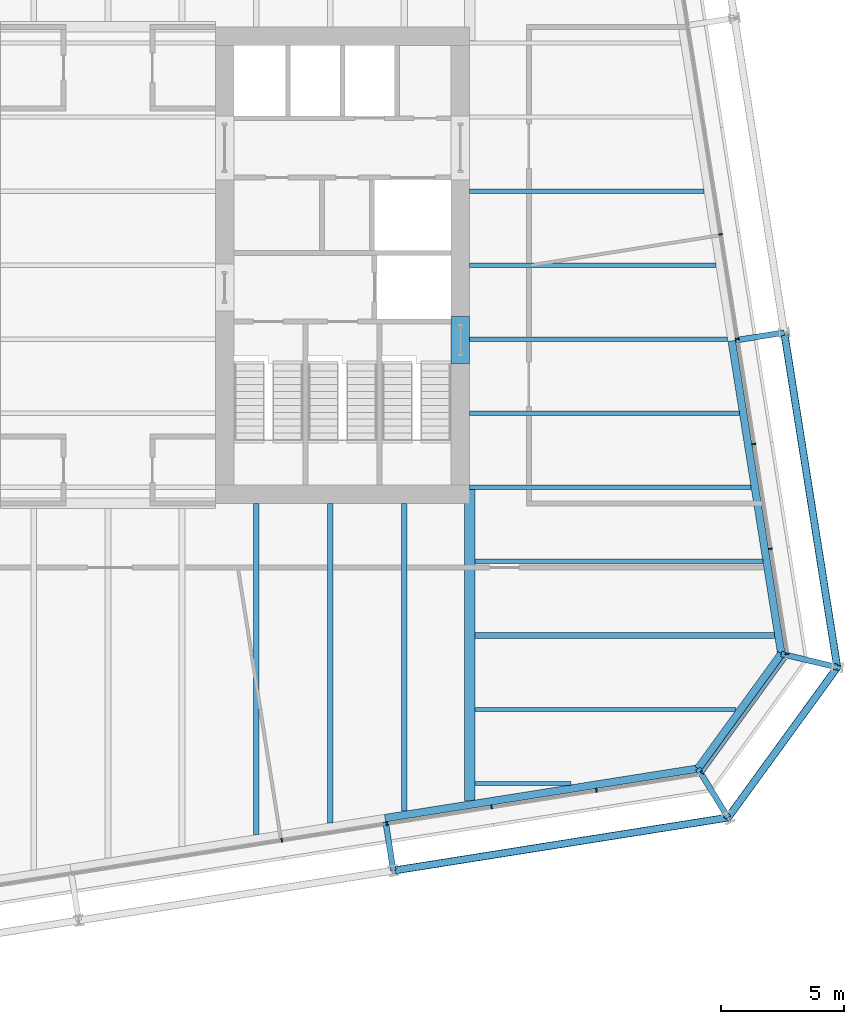
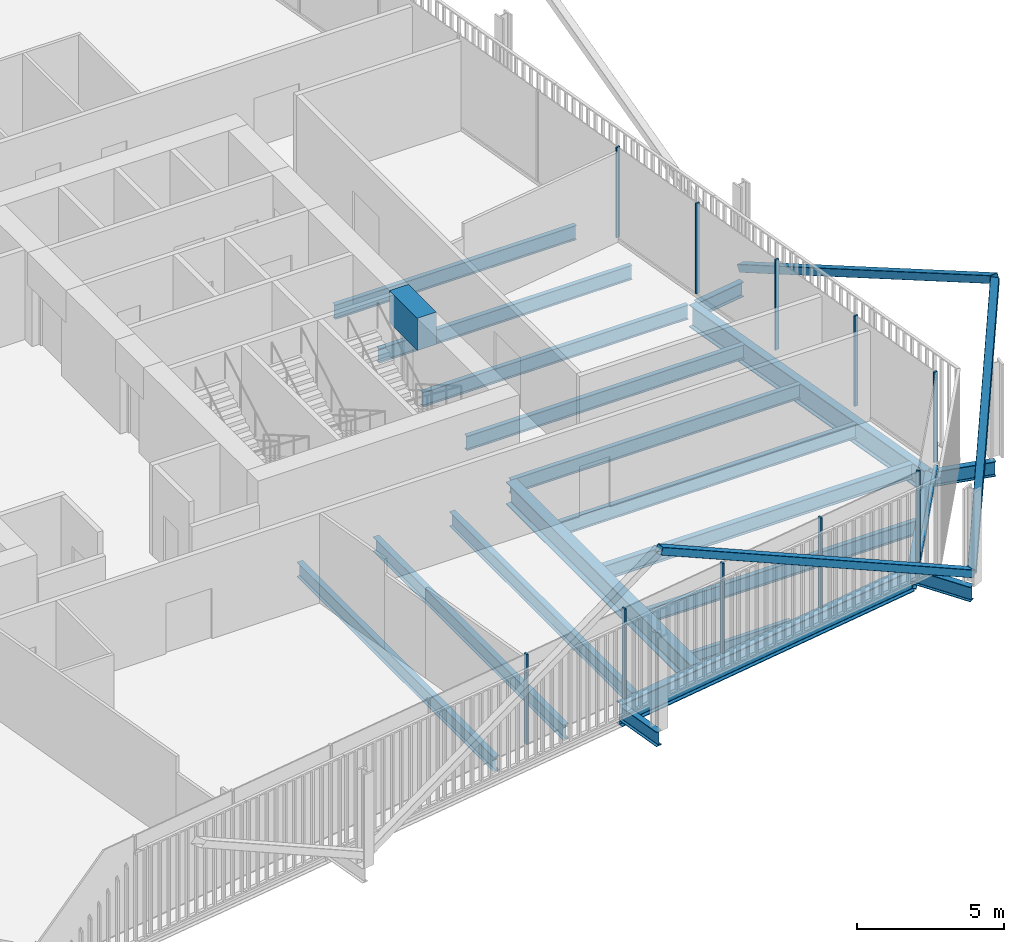
# One storey, part 8 of 22: 21 beams, 14 members, 3 elements without a shape of their own.
"""IFC4 building model written with IfcOpenShell, lengths in metres."""

from ifc_helpers import new_model, si_unit, direction, frame, origin, origin_2d, place, context, subcontext, project, spatial, rectangle, hollow_rectangle, i_section, extrude, material, layer, layer_set, material_profile, profile_set, type_object, element, aggregate, save


model = new_model("IFC4")

# Units and contexts
model_context = context("Model", 3, precision=1e-05, world=origin(), true_north=direction((0.0, 1.0)))
body_context = subcontext(model_context, "Body", "Model", "MODEL_VIEW")
ifc_project = project(units=[si_unit("LENGTHUNIT", "METRE"), si_unit("AREAUNIT", "SQUARE_METRE"), si_unit("VOLUMEUNIT", "CUBIC_METRE"), si_unit("PLANEANGLEUNIT", "RADIAN"), si_unit("MASSUNIT", "GRAM", prefix="KILO")], contexts=[model_context])

# Site, building, storey
site_placement = place(None, origin())
site = spatial("IfcSite", under=ifc_project, at=site_placement, CompositionType="ELEMENT")
building_placement = place(site_placement, origin())
building = spatial("IfcBuilding", under=site, at=building_placement, Name="Millrace Tower", CompositionType="ELEMENT")
storey_placement = place(building_placement, frame((0.0, 0.0, 180.0)))
storey = spatial("IfcBuildingStorey", under=building, at=storey_placement, Name="L40", CompositionType="ELEMENT", Elevation=180.0)

# Curtain wall, members
ifc_material_1 = material(Name="Aluminium and glass", Category="aluminium")
ifc_layer = layer(ifc_material_1, 0.14990234375)
ifc_layer_set = layer_set([ifc_layer], Name="Aluminium and glass")
curtain_wall_type = type_object("IfcCurtainWallType", Name="CW-1 office vision curtain wall", PredefinedType="NOTDEFINED", material=ifc_layer_set)
placement = place(storey_placement, origin())
curtain_wall_1 = element("IfcCurtainWall", 1, at=placement, inside=storey, type_object=curtain_wall_type, Name="Curtain wall C-F02 L40", PredefinedType="NOTDEFINED")
ifc_material_2 = material(Name="Aluminium", Category="aluminium")
ifc_material_profile_1 = material_profile(ifc_material_2, rectangle(XDim=0.06494140625, YDim=0.14990234375, at=origin_2d()))
ifc_profile_set_1 = profile_set([ifc_material_profile_1], Name="Aluminium")
member_type_1 = type_object("IfcMemberType", Name="CW-1 office vision curtain wall mullion", PredefinedType="MULLION", material=ifc_profile_set_1)
member_1_placement = place(storey_placement, frame((7.04345703125, -23.293212890625, 0.139892578125), z_axis=(0.0, 0.0, 1.0), x_axis=(0.98768833929, 0.15643447328, 0.0)))
member_1 = element("IfcMember", 2, at=member_1_placement, type_object=member_type_1, Name="CW1 mullion C-F02.6", PredefinedType="MULLION", context=body_context, shape_type="SweptSolid", body=[
    extrude(rectangle(XDim=0.06494140625, YDim=0.14990234375, at=origin_2d()), origin(), (0.0, 0.0, 1.0), 3.760009765625),
])
member_2_placement = place(storey_placement, frame((11.29052734375, -22.62060546875, 0.139892578125), z_axis=(0.0, 0.0, 1.0), x_axis=(0.98768833929, 0.15643447328, 0.0)))
member_2 = element("IfcMember", 3, at=member_2_placement, type_object=member_type_1, Name="CW1 mullion C-F02.7", PredefinedType="MULLION", context=body_context, shape_type="SweptSolid", body=[
    extrude(rectangle(XDim=0.06494140625, YDim=0.14990234375, at=origin_2d()), origin(), (0.0, 0.0, 1.0), 3.760009765625),
])
member_3_placement = place(storey_placement, frame((15.53759765625, -21.947998046875, 0.139892578125), z_axis=(0.0, 0.0, 1.0), x_axis=(0.98768833929, 0.15643447328, 0.0)))
member_3 = element("IfcMember", 4, at=member_3_placement, type_object=member_type_1, Name="CW1 mullion C-F02.8", PredefinedType="MULLION", context=body_context, shape_type="SweptSolid", body=[
    extrude(rectangle(XDim=0.06494140625, YDim=0.14990234375, at=origin_2d()), origin(), (0.0, 0.0, 1.0), 3.760009765625),
])
member_4_placement = place(storey_placement, frame((19.78466796875, -21.275390625, 0.139892578125), z_axis=(0.0, 0.0, 1.0), x_axis=(0.98768833929, 0.15643447328, 0.0)))
member_4 = element("IfcMember", 5, at=member_4_placement, type_object=member_type_1, Name="CW1 mullion C-F02.9", PredefinedType="MULLION", context=body_context, shape_type="SweptSolid", body=[
    extrude(rectangle(XDim=0.06494140625, YDim=0.14990234375, at=origin_2d()), origin(), (0.0, 0.0, 1.0), 3.760009765625),
])
aggregate(curtain_wall_1, [member_1, member_2, member_3, member_4])

# Curtain wall, member
curtain_wall_2 = element("IfcCurtainWall", 6, at=placement, inside=storey, type_object=curtain_wall_type, Name="Curtain wall C-F03 L40", PredefinedType="NOTDEFINED")
member_5_placement = place(storey_placement, frame((24.06787109375, -20.551513671875, 0.139892578125), z_axis=(0.0, 0.0, 1.0), x_axis=(0.587785269844, 0.809016981623, 0.0)))
member_5 = element("IfcMember", 7, at=member_5_placement, type_object=member_type_1, Name="CW1 mullion C-F03.1", PredefinedType="MULLION", context=body_context, shape_type="SweptSolid", body=[
    extrude(rectangle(XDim=0.06494140625, YDim=0.14990234375, at=origin_2d()), origin(), (0.0, 0.0, 1.0), 3.760009765625),
])

# Curtain wall, members
curtain_wall_3 = element("IfcCurtainWall", 8, at=placement, inside=storey, type_object=curtain_wall_type, Name="Curtain wall C-F04 L40", PredefinedType="NOTDEFINED")
member_6_placement = place(storey_placement, frame((27.506591796875, -15.74169921875, 0.139892578125), z_axis=(0.0, 0.0, 1.0), x_axis=(-0.15643447328, 0.98768833929, 0.0)))
member_6 = element("IfcMember", 9, at=member_6_placement, type_object=member_type_1, Name="CW1 mullion C-F04.1", PredefinedType="MULLION", context=body_context, shape_type="SweptSolid", body=[
    extrude(rectangle(XDim=0.06494140625, YDim=0.14990234375, at=origin_2d()), origin(), (0.0, 0.0, 1.0), 3.760009765625),
])
member_7_placement = place(storey_placement, frame((26.833984375, -11.49462890625, 0.139892578125), z_axis=(0.0, 0.0, 1.0), x_axis=(-0.15643447328, 0.98768833929, 0.0)))
member_7 = element("IfcMember", 10, at=member_7_placement, type_object=member_type_1, Name="CW1 mullion C-F04.2", PredefinedType="MULLION", context=body_context, shape_type="SweptSolid", body=[
    extrude(rectangle(XDim=0.06494140625, YDim=0.14990234375, at=origin_2d()), origin(), (0.0, 0.0, 1.0), 3.760009765625),
])
member_8_placement = place(storey_placement, frame((26.161376953125, -7.24755859375, 0.139892578125), z_axis=(0.0, 0.0, 1.0), x_axis=(-0.15643447328, 0.98768833929, 0.0)))
member_8 = element("IfcMember", 11, at=member_8_placement, type_object=member_type_1, Name="CW1 mullion C-F04.3", PredefinedType="MULLION", context=body_context, shape_type="SweptSolid", body=[
    extrude(rectangle(XDim=0.06494140625, YDim=0.14990234375, at=origin_2d()), origin(), (0.0, 0.0, 1.0), 3.760009765625),
])
member_9_placement = place(storey_placement, frame((25.48876953125, -3.00048828125, 0.139892578125), z_axis=(0.0, 0.0, 1.0), x_axis=(-0.15643447328, 0.98768833929, 0.0)))
member_9 = element("IfcMember", 12, at=member_9_placement, type_object=member_type_1, Name="CW1 mullion C-F04.4", PredefinedType="MULLION", context=body_context, shape_type="SweptSolid", body=[
    extrude(rectangle(XDim=0.06494140625, YDim=0.14990234375, at=origin_2d()), origin(), (0.0, 0.0, 1.0), 3.760009765625),
])
member_10_placement = place(storey_placement, frame((24.81591796875, 1.24658203125, 0.139892578125), z_axis=(0.0, 0.0, 1.0), x_axis=(-0.15643447328, 0.98768833929, 0.0)))
member_10 = element("IfcMember", 13, at=member_10_placement, type_object=member_type_1, Name="CW1 mullion C-F04.5", PredefinedType="MULLION", context=body_context, shape_type="SweptSolid", body=[
    extrude(rectangle(XDim=0.06494140625, YDim=0.14990234375, at=origin_2d()), origin(), (0.0, 0.0, 1.0), 3.760009765625),
])
aggregate(curtain_wall_3, [member_6, member_7, member_8, member_9, member_10])

# Member
ifc_material_3 = material(Name="Aluminium", Category="aluminium")
ifc_material_profile_2 = material_profile(ifc_material_3, rectangle(XDim=0.14990234375, YDim=0.139892578125, at=origin_2d()))
ifc_profile_set_2 = profile_set([ifc_material_profile_2], Name="Aluminium")
member_type_2 = type_object("IfcMemberType", Name="CW-1 office vision curtain wall transom", PredefinedType="USERDEFINED", material=ifc_profile_set_2)
member_11_placement = place(storey_placement, frame((24.107421875, -20.496826171875, 0.070068359375), z_axis=(0.587810581339, 0.808998591139, 0.0), x_axis=(-0.808998591139, 0.587810581339, 0.0)))
member_11 = element("IfcMember", 14, at=member_11_placement, type_object=member_type_2, Name="CW1 transom C-F03.1", ObjectType="TRANSOM", PredefinedType="USERDEFINED", context=body_context, shape_type="SweptSolid", body=[
    extrude(rectangle(XDim=0.14990234375, YDim=0.139892578125, at=origin_2d()), origin(), (0.0, 0.0, 1.0), 5.6689453125),
])

aggregate(curtain_wall_2, [member_5, member_11])

# Beam
ifc_material_4 = material(Name="Concrete C70", Category="concrete")
ifc_material_profile_3 = material_profile(ifc_material_4, rectangle(XDim=0.75, YDim=1.340087890625, at=origin_2d()))
ifc_profile_set_3 = profile_set([ifc_material_profile_3], Name="Concrete C70")
beam_type_1 = type_object("IfcBeamType", Name="Coupling beam 750 x 1340 Concrete C70, 1300 opening", PredefinedType="BEAM", material=ifc_profile_set_3)
beam_1_placement = place(storey_placement, frame((14.27490234375, -2.080078125, 3.070068359375), z_axis=(0.0, -1.0, 0.0), x_axis=(1.0, 0.0, 0.0)))
element("IfcBeam", 15, at=beam_1_placement, inside=storey, type_object=beam_type_1, Name="Coupling beam E L40", PredefinedType="BEAM", context=body_context, shape_type="SweptSolid", body=[
    extrude(rectangle(XDim=0.75, YDim=1.340087890625, at=origin_2d()), origin(), (0.0, 0.0, 1.0), 1.89990234375),
])

# Members
ifc_material_5 = material(Name="Steel ASTM A500 Grade C", Category="steel")
ifc_material_profile_4 = material_profile(ifc_material_5, hollow_rectangle(XDim=0.3046875, YDim=0.3046875, WallThickness=0.0126953125, InnerFilletRadius=0.00634765625, OuterFilletRadius=0.01904296875, at=origin_2d()))
ifc_profile_set_4 = profile_set([ifc_material_profile_4], Name="Steel ASTM A500 Grade C")
member_type_3 = type_object("IfcMemberType", Name="Exoskeleton brace HSS12x12x1/2", PredefinedType="BRACE", material=ifc_profile_set_4)
member_12_placement = place(storey_placement, frame((25.119140625, -22.37939453125, 0.39990234375), z_axis=(-0.879908188937, -0.139368965396, 0.454244285078), x_axis=(0.156440158434, -0.987687438833, 0.0)))
element("IfcMember", 16, at=member_12_placement, inside=storey, type_object=member_type_3, Name="BRC-C-L40-04", PredefinedType="BRACE", context=body_context, shape_type="SweptSolid", body=[
    extrude(hollow_rectangle(XDim=0.3046875, YDim=0.3046875, WallThickness=0.0126953125, InnerFilletRadius=0.00634765625, OuterFilletRadius=0.01904296875, at=origin_2d()), origin(), (0.0, 0.0, 1.0), 15.41015625),
])
member_13_placement = place(storey_placement, frame((25.119140625, -22.37939453125, 0.39990234375), z_axis=(0.430395153162, 0.592372334541, 0.681069034243), x_axis=(-0.809009551985, 0.587795495726, 0.0)))
element("IfcMember", 17, at=member_13_placement, inside=storey, type_object=member_type_3, Name="BRC-C-L40-05", PredefinedType="BRACE", context=body_context, shape_type="SweptSolid", body=[
    extrude(hollow_rectangle(XDim=0.3046875, YDim=0.3046875, WallThickness=0.0126953125, InnerFilletRadius=0.00634765625, OuterFilletRadius=0.01904296875, at=origin_2d()), origin(), (0.0, 0.0, 1.0), 10.278076171875),
])
member_14_placement = place(storey_placement, frame((27.39501953125, -2.7314453125, 0.39990234375), z_axis=(0.139368965396, -0.879908188937, 0.454244285078), x_axis=(0.987687438833, 0.156440158434, 0.0)))
element("IfcMember", 18, at=member_14_placement, inside=storey, type_object=member_type_3, Name="BRC-C-L40-06", PredefinedType="BRACE", context=body_context, shape_type="SweptSolid", body=[
    extrude(hollow_rectangle(XDim=0.3046875, YDim=0.3046875, WallThickness=0.0126953125, InnerFilletRadius=0.00634765625, OuterFilletRadius=0.01904296875, at=origin_2d()), origin(), (0.0, 0.0, 1.0), 15.41015625),
])

# Beams
ifc_material_6 = material(Name="Steel ASTM A992 Grade 50", Category="steel")
ifc_material_profile_5 = material_profile(ifc_material_6, i_section(OverallWidth=0.15234375, OverallDepth=0.449462890625, WebThickness=0.007568359375, FlangeThickness=0.0107421875, FilletRadius=0.01025390625, at=origin_2d()))
ifc_profile_set_5 = profile_set([ifc_material_profile_5], Name="Steel ASTM A992 Grade 50")
beam_type_2 = type_object("IfcBeamType", Name="Floor beam W18x35", PredefinedType="JOIST", material=ifc_profile_set_5)
beam_2_placement = place(storey_placement, frame((14.859619140625, -21.0, -0.384765625), z_axis=(1.0, 0.0, 0.0), x_axis=(0.0, 1.0, 0.0)))
element("IfcBeam", 19, at=beam_2_placement, inside=storey, type_object=beam_type_2, Name="BM-C-L40-S1-S003", PredefinedType="JOIST", context=body_context, shape_type="SweptSolid", body=[
    extrude(i_section(OverallWidth=0.15234375, OverallDepth=0.449462890625, WebThickness=0.007568359375, FlangeThickness=0.0107421875, FilletRadius=0.01025390625, at=origin_2d()), origin(), (0.0, 0.0, 1.0), 3.9033203125),
])
ifc_material_7 = material(Name="Steel ASTM A992 Grade 50", Category="steel")
ifc_material_profile_6 = material_profile(ifc_material_7, i_section(OverallWidth=0.177978515625, OverallDepth=0.599365234375, WebThickness=0.010009765625, FlangeThickness=0.012939453125, FilletRadius=0.012939453125, at=origin_2d()))
ifc_profile_set_6 = profile_set([ifc_material_profile_6], Name="Steel ASTM A992 Grade 50")
beam_type_3 = type_object("IfcBeamType", Name="Floor beam W24x55", PredefinedType="JOIST", material=ifc_profile_set_6)
beam_3_placement = place(storey_placement, frame((14.64990234375, 0.0, -0.459716796875), z_axis=(1.0, 0.0, 0.0), x_axis=(0.0, 1.0, 0.0)))
element("IfcBeam", 20, at=beam_3_placement, inside=storey, type_object=beam_type_3, Name="BM-C-L40-S1-S021", PredefinedType="JOIST", context=body_context, shape_type="SweptSolid", body=[
    extrude(i_section(OverallWidth=0.177978515625, OverallDepth=0.599365234375, WebThickness=0.010009765625, FlangeThickness=0.012939453125, FilletRadius=0.012939453125, at=origin_2d()), origin(), (0.0, 0.0, 1.0), 9.976318359375),
])
beam_4_placement = place(storey_placement, frame((14.64990234375, 3.0, -0.459716796875), z_axis=(1.0, 0.0, 0.0), x_axis=(0.0, 1.0, 0.0)))
element("IfcBeam", 21, at=beam_4_placement, inside=storey, type_object=beam_type_3, Name="BM-C-L40-S1-S024", PredefinedType="JOIST", context=body_context, shape_type="SweptSolid", body=[
    extrude(i_section(OverallWidth=0.177978515625, OverallDepth=0.599365234375, WebThickness=0.010009765625, FlangeThickness=0.012939453125, FilletRadius=0.012939453125, at=origin_2d()), origin(), (0.0, 0.0, 1.0), 9.501220703125),
])
ifc_material_8 = material(Name="Steel ASTM A992 Grade 50", Category="steel")
ifc_material_profile_7 = material_profile(ifc_material_8, i_section(OverallWidth=0.1787109375, OverallDepth=0.60205078125, WebThickness=0.010986328125, FlangeThickness=0.014892578125, FilletRadius=0.0126953125, at=origin_2d()))
ifc_profile_set_7 = profile_set([ifc_material_profile_7], Name="Steel ASTM A992 Grade 50")
beam_type_4 = type_object("IfcBeamType", Name="Floor beam W24x62", PredefinedType="JOIST", material=ifc_profile_set_7)
beam_5_placement = place(storey_placement, frame((14.859619140625, -12.0, -0.4609375), z_axis=(1.0, 0.0, 0.0), x_axis=(0.0, 1.0, 0.0)))
element("IfcBeam", 22, at=beam_5_placement, inside=storey, type_object=beam_type_4, Name="BM-C-L40-S1-S009", PredefinedType="JOIST", context=body_context, shape_type="SweptSolid", body=[
    extrude(i_section(OverallWidth=0.1787109375, OverallDepth=0.60205078125, WebThickness=0.010986328125, FlangeThickness=0.014892578125, FilletRadius=0.0126953125, at=origin_2d()), origin(), (0.0, 0.0, 1.0), 11.667236328125),
])
beam_6_placement = place(storey_placement, frame((14.64990234375, -9.0, -0.4609375), z_axis=(1.0, 0.0, 0.0), x_axis=(0.0, 1.0, 0.0)))
element("IfcBeam", 23, at=beam_6_placement, inside=storey, type_object=beam_type_4, Name="BM-C-L40-S1-S012", PredefinedType="JOIST", context=body_context, shape_type="SweptSolid", body=[
    extrude(i_section(OverallWidth=0.1787109375, OverallDepth=0.60205078125, WebThickness=0.010986328125, FlangeThickness=0.014892578125, FilletRadius=0.0126953125, at=origin_2d()), origin(), (0.0, 0.0, 1.0), 11.40185546875),
])
beam_7_placement = place(storey_placement, frame((14.64990234375, -6.0, -0.4609375), z_axis=(1.0, 0.0, 0.0), x_axis=(0.0, 1.0, 0.0)))
element("IfcBeam", 24, at=beam_7_placement, inside=storey, type_object=beam_type_4, Name="BM-C-L40-S1-S015", PredefinedType="JOIST", context=body_context, shape_type="SweptSolid", body=[
    extrude(i_section(OverallWidth=0.1787109375, OverallDepth=0.60205078125, WebThickness=0.010986328125, FlangeThickness=0.014892578125, FilletRadius=0.0126953125, at=origin_2d()), origin(), (0.0, 0.0, 1.0), 10.9267578125),
])
beam_8_placement = place(storey_placement, frame((14.64990234375, -3.0, -0.4609375), z_axis=(1.0, 0.0, 0.0), x_axis=(0.0, 1.0, 0.0)))
element("IfcBeam", 25, at=beam_8_placement, inside=storey, type_object=beam_type_4, Name="BM-C-L40-S1-S018", PredefinedType="JOIST", context=body_context, shape_type="SweptSolid", body=[
    extrude(i_section(OverallWidth=0.1787109375, OverallDepth=0.60205078125, WebThickness=0.010986328125, FlangeThickness=0.014892578125, FilletRadius=0.0126953125, at=origin_2d()), origin(), (0.0, 0.0, 1.0), 10.45166015625),
])
beam_9_placement = place(storey_placement, frame((14.859619140625, -18.0, -0.4609375), z_axis=(1.0, 0.0, 0.0), x_axis=(0.0, 1.0, 0.0)))
element("IfcBeam", 26, at=beam_9_placement, inside=storey, type_object=beam_type_4, Name="BM-C-L40-S1-S005", PredefinedType="JOIST", context=body_context, shape_type="SweptSolid", body=[
    extrude(i_section(OverallWidth=0.1787109375, OverallDepth=0.60205078125, WebThickness=0.010986328125, FlangeThickness=0.014892578125, FilletRadius=0.0126953125, at=origin_2d()), origin(), (0.0, 0.0, 1.0), 10.577392578125),
])
ifc_material_9 = material(Name="Steel ASTM A992 Grade 50", Category="steel")
ifc_material_profile_8 = material_profile(ifc_material_9, i_section(OverallWidth=0.228271484375, OverallDepth=0.607177734375, WebThickness=0.01123046875, FlangeThickness=0.017333984375, FilletRadius=0.0126953125, at=origin_2d()))
ifc_profile_set_8 = profile_set([ifc_material_profile_8], Name="Steel ASTM A992 Grade 50")
beam_type_5 = type_object("IfcBeamType", Name="Floor beam W24x76", PredefinedType="JOIST", material=ifc_profile_set_8)
beam_10_placement = place(storey_placement, frame((14.859619140625, -15.0, -0.463623046875), z_axis=(1.0, 0.0, 0.0), x_axis=(0.0, 1.0, 0.0)))
element("IfcBeam", 27, at=beam_10_placement, inside=storey, type_object=beam_type_5, Name="BM-C-L40-S1-S007", PredefinedType="JOIST", context=body_context, shape_type="SweptSolid", body=[
    extrude(i_section(OverallWidth=0.228271484375, OverallDepth=0.607177734375, WebThickness=0.01123046875, FlangeThickness=0.017333984375, FilletRadius=0.0126953125, at=origin_2d()), origin(), (0.0, 0.0, 1.0), 12.142578125),
])
beam_11_placement = place(storey_placement, frame((6.0, -23.071533203125, -0.463623046875), z_axis=(0.0, 1.0, 0.0), x_axis=(-1.0, 0.0, 0.0)))
element("IfcBeam", 28, at=beam_11_placement, inside=storey, type_object=beam_type_5, Name="BM-C-L40-S1-S052", PredefinedType="JOIST", context=body_context, shape_type="SweptSolid", body=[
    extrude(i_section(OverallWidth=0.228271484375, OverallDepth=0.607177734375, WebThickness=0.01123046875, FlangeThickness=0.017333984375, FilletRadius=0.0126953125, at=origin_2d()), origin(), (0.0, 0.0, 1.0), 13.421630859375),
])
beam_12_placement = place(storey_placement, frame((9.0, -22.596435546875, -0.463623046875), z_axis=(0.0, 1.0, 0.0), x_axis=(-1.0, 0.0, 0.0)))
element("IfcBeam", 29, at=beam_12_placement, inside=storey, type_object=beam_type_5, Name="BM-C-L40-S1-S054", PredefinedType="JOIST", context=body_context, shape_type="SweptSolid", body=[
    extrude(i_section(OverallWidth=0.228271484375, OverallDepth=0.607177734375, WebThickness=0.01123046875, FlangeThickness=0.017333984375, FilletRadius=0.0126953125, at=origin_2d()), origin(), (0.0, 0.0, 1.0), 12.946533203125),
])
beam_13_placement = place(storey_placement, frame((12.0, -22.12109375, -0.463623046875), z_axis=(0.0, 1.0, 0.0), x_axis=(-1.0, 0.0, 0.0)))
element("IfcBeam", 30, at=beam_13_placement, inside=storey, type_object=beam_type_5, Name="BM-C-L40-S1-S056", PredefinedType="JOIST", context=body_context, shape_type="SweptSolid", body=[
    extrude(i_section(OverallWidth=0.228271484375, OverallDepth=0.607177734375, WebThickness=0.01123046875, FlangeThickness=0.017333984375, FilletRadius=0.0126953125, at=origin_2d()), origin(), (0.0, 0.0, 1.0), 12.47119140625),
])
ifc_material_10 = material(Name="Steel ASTM A992 Grade 50", Category="steel")
ifc_material_profile_9 = material_profile(ifc_material_10, i_section(OverallWidth=0.419189453125, OverallDepth=0.927001953125, WebThickness=0.019287109375, FlangeThickness=0.031982421875, FilletRadius=0.024169921875, at=origin_2d()))
ifc_profile_set_9 = profile_set([ifc_material_profile_9], Name="Steel ASTM A992 Grade 50")
beam_type_6 = type_object("IfcBeamType", Name="Girder medium span W36x231", PredefinedType="BEAM", material=ifc_profile_set_9)
beam_14_placement = place(storey_placement, frame((14.64990234375, -21.693603515625, -0.62353515625), z_axis=(0.0, 1.0, 0.0), x_axis=(-1.0, 0.0, 0.0)))
element("IfcBeam", 31, at=beam_14_placement, inside=storey, type_object=beam_type_6, Name="BM-C-L40-S1-G060", PredefinedType="BEAM", context=body_context, shape_type="SweptSolid", body=[
    extrude(i_section(OverallWidth=0.419189453125, OverallDepth=0.927001953125, WebThickness=0.019287109375, FlangeThickness=0.031982421875, FilletRadius=0.024169921875, at=origin_2d()), origin(), (0.0, 0.0, 1.0), 12.603515625),
])
ifc_material_11 = material(Name="Steel ASTM A992 Grade 50", Category="steel")
ifc_material_profile_10 = material_profile(ifc_material_11, i_section(OverallWidth=0.23046875, OverallDepth=0.6171875, WebThickness=0.01318359375, FlangeThickness=0.022216796875, FilletRadius=0.012939453125, at=origin_2d()))
ifc_profile_set_10 = profile_set([ifc_material_profile_10], Name="Steel ASTM A992 Grade 50")
beam_type_7 = type_object("IfcBeamType", Name="Link beam W24x94", PredefinedType="BEAM", material=ifc_profile_set_10)
beam_15_placement = place(storey_placement, frame((25.419677734375, -3.04443359375, -0.468505859375), z_axis=(0.987678691416, 0.156495375404, 0.0), x_axis=(-0.156495375404, 0.987678691416, 0.0)))
element("IfcBeam", 32, at=beam_15_placement, inside=storey, type_object=beam_type_7, Name="LNK-C-L40-S1-11", PredefinedType="BEAM", context=body_context, shape_type="SweptSolid", body=[
    extrude(i_section(OverallWidth=0.23046875, OverallDepth=0.6171875, WebThickness=0.01318359375, FlangeThickness=0.022216796875, FilletRadius=0.012939453125, at=origin_2d()), origin(), (0.0, 0.0, 1.0), 2.0),
])
beam_16_placement = place(storey_placement, frame((27.27587890625, -15.746826171875, -0.468505859375), z_axis=(0.972373041068, -0.233432364948, 0.0), x_axis=(0.233432364948, 0.972373041068, 0.0)))
element("IfcBeam", 33, at=beam_16_placement, inside=storey, type_object=beam_type_7, Name="LNK-C-L40-S1-12", PredefinedType="BEAM", context=body_context, shape_type="SweptSolid", body=[
    extrude(i_section(OverallWidth=0.23046875, OverallDepth=0.6171875, WebThickness=0.01318359375, FlangeThickness=0.022216796875, FilletRadius=0.012939453125, at=origin_2d()), origin(), (0.0, 0.0, 1.0), 2.331298828125),
])
beam_17_placement = place(storey_placement, frame((23.901123046875, -20.391845703125, -0.468505859375), z_axis=(0.522512938711, -0.852631355792, 0.0), x_axis=(0.852631355792, 0.522512938711, 0.0)))
element("IfcBeam", 34, at=beam_17_placement, inside=storey, type_object=beam_type_7, Name="LNK-C-L40-S1-13", PredefinedType="BEAM", context=body_context, shape_type="SweptSolid", body=[
    extrude(i_section(OverallWidth=0.23046875, OverallDepth=0.6171875, WebThickness=0.01318359375, FlangeThickness=0.022216796875, FilletRadius=0.012939453125, at=origin_2d()), origin(), (0.0, 0.0, 1.0), 2.3310546875),
])
beam_18_placement = place(storey_placement, frame((11.246826171875, -22.5517578125, -0.468505859375), z_axis=(0.15637629034, -0.987697552806, 0.0), x_axis=(0.987697552806, 0.15637629034, 0.0)))
element("IfcBeam", 35, at=beam_18_placement, inside=storey, type_object=beam_type_7, Name="LNK-C-L40-S1-14", PredefinedType="BEAM", context=body_context, shape_type="SweptSolid", body=[
    extrude(i_section(OverallWidth=0.23046875, OverallDepth=0.6171875, WebThickness=0.01318359375, FlangeThickness=0.022216796875, FilletRadius=0.012939453125, at=origin_2d()), origin(), (0.0, 0.0, 1.0), 2.0),
])
ifc_material_12 = material(Name="Steel ASTM A992 Grade 50", Category="steel")
ifc_material_profile_11 = material_profile(ifc_material_12, i_section(OverallWidth=0.307373046875, OverallDepth=0.927001953125, WebThickness=0.01953125, FlangeThickness=0.031982421875, FilletRadius=0.01904296875, at=origin_2d()))
ifc_profile_set_11 = profile_set([ifc_material_profile_11], Name="Steel ASTM A992 Grade 50")
beam_type_8 = type_object("IfcBeamType", Name="Ring beam medium span W36x194", PredefinedType="SPANDREL", material=ifc_profile_set_11)
for number, where, z_axis, x_axis, name in (
    (36, (25.267822265625, -3.068359375, -0.62353515625), (0.15643330783, -0.987688523879, 0.0), (0.987688523879, 0.15643330783, 0.0), "RNG-C-L40-S1-11"),
    (37, (23.901123046875, -20.391845703125, -0.62353515625), (-0.987688523879, -0.15643330783, 0.0), (0.15643330783, -0.987688523879, 0.0), "RNG-C-L40-S1-13"),
):
    element("IfcBeam", number, at=place(storey_placement, frame(where, z_axis=z_axis, x_axis=x_axis)), inside=storey, type_object=beam_type_8, Name=name, PredefinedType="SPANDREL", context=body_context, shape_type="SweptSolid", body=[
        extrude(i_section(OverallWidth=0.307373046875, OverallDepth=0.927001953125, WebThickness=0.01953125, FlangeThickness=0.031982421875, FilletRadius=0.01904296875, at=origin_2d()), origin(), (0.0, 0.0, 1.0), 12.83642578125),
    ])
ifc_material_13 = material(Name="Steel ASTM A992 Grade 50", Category="steel")
ifc_material_profile_12 = material_profile(ifc_material_13, i_section(OverallWidth=0.307373046875, OverallDepth=0.927001953125, WebThickness=0.01953125, FlangeThickness=0.031982421875, FilletRadius=0.01904296875, at=origin_2d()))
ifc_profile_set_12 = profile_set([ifc_material_profile_12], Name="Steel ASTM A992 Grade 50")
beam_type_9 = type_object("IfcBeamType", Name="Ring beam short span W36x194", PredefinedType="SPANDREL", material=ifc_profile_set_12)
beam_19_placement = place(storey_placement, frame((27.27587890625, -15.746826171875, -0.62353515625), z_axis=(-0.58777973792, -0.809021000772, 0.0), x_axis=(0.809021000772, -0.58777973792, 0.0)))
element("IfcBeam", 38, at=beam_19_placement, inside=storey, type_object=beam_type_9, Name="RNG-C-L40-S1-12", PredefinedType="SPANDREL", context=body_context, shape_type="SweptSolid", body=[
    extrude(i_section(OverallWidth=0.307373046875, OverallDepth=0.927001953125, WebThickness=0.01953125, FlangeThickness=0.031982421875, FilletRadius=0.01904296875, at=origin_2d()), origin(), (0.0, 0.0, 1.0), 5.741455078125),
])

save(model, "model.ifc")
